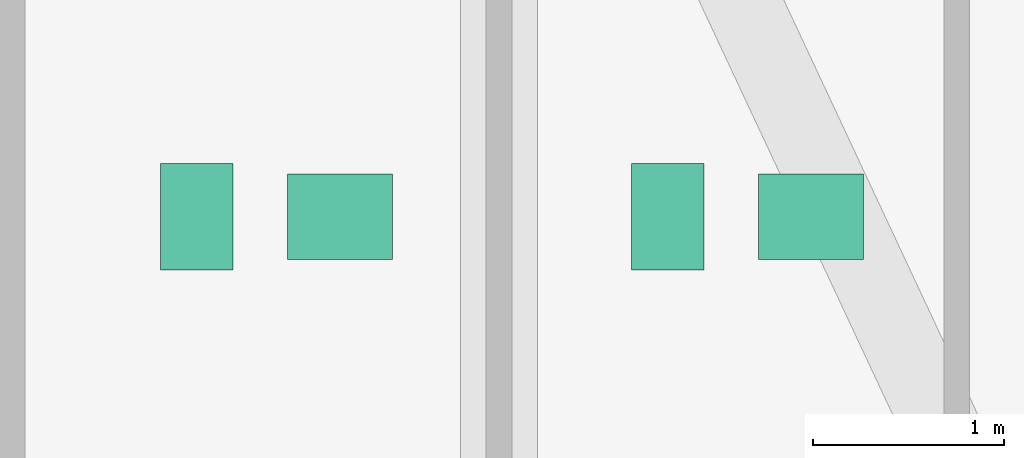
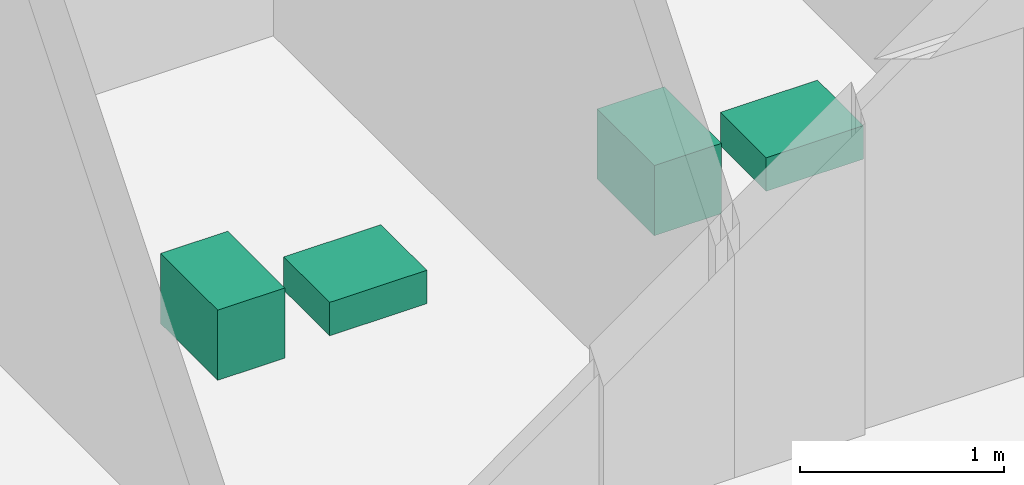
# One storey, part 33 of 33: 4 sanitary terminals.
"""IFC4 building model written with IfcOpenShell, lengths in metres."""

from ifc_helpers import new_model, si_unit, direction, frame, origin, origin_2d, place, context, subcontext, project, spatial, rectangle, extrude, material, type_object, element, save


model = new_model("IFC4")

# Units and contexts
model_context = context("Model", 3, precision=1e-05, world=origin(), true_north=direction((0.0, 1.0)))
body_context = subcontext(model_context, "Body", "Model", "MODEL_VIEW")
ifc_project = project(units=[si_unit("LENGTHUNIT", "METRE"), si_unit("AREAUNIT", "SQUARE_METRE"), si_unit("VOLUMEUNIT", "CUBIC_METRE"), si_unit("PLANEANGLEUNIT", "RADIAN"), si_unit("MASSUNIT", "GRAM", prefix="KILO")], contexts=[model_context])

# Site, building, storey
site_placement = place(None, origin())
site = spatial("IfcSite", under=ifc_project, at=site_placement, CompositionType="ELEMENT")
building_placement = place(site_placement, origin())
building = spatial("IfcBuilding", under=site, at=building_placement, Name="Zuhayl Quay Hotel", CompositionType="ELEMENT")
storey_placement = place(building_placement, frame((0.0, 0.0, 168.199951171875)))
storey = spatial("IfcBuildingStorey", under=building, at=storey_placement, Name="L42", CompositionType="ELEMENT", Elevation=168.199951171875)

# Sanitary terminals
ifc_material = material(Name="Vitreous Porcelain Sanitaryware")
sanitary_terminal_type_1 = type_object("IfcSanitaryTerminalType", Name="SAN_BASIN", PredefinedType="WASHHANDBASIN", material=ifc_material)
for number, where, z_axis, x_axis, name in (
    (1, (12.965087890625, 29.10009765625, 0.0), (0.0, 0.0, 1.0), (1.0, 0.0, 0.0), "L42 Sanitary Fixture WASHHANDBASIN"),
    (2, (15.43505859375, 29.10009765625, 0.0), (0.0, 0.0, 1.0), (1.0, 0.0, 0.0), "L42 Sanitary Fixture WASHHANDBASIN"),
):
    element("IfcSanitaryTerminal", number, at=place(storey_placement, frame(where, z_axis=z_axis, x_axis=x_axis)), inside=storey, type_object=sanitary_terminal_type_1, Name=name, PredefinedType="WASHHANDBASIN", context=body_context, shape_type="SweptSolid", body=[
        extrude(rectangle(XDim=0.550048828125, YDim=0.449951171875, at=origin_2d()), origin(), (0.0, 0.0, 1.0), 0.199951171875),
    ])
sanitary_terminal_type_2 = type_object("IfcSanitaryTerminalType", Name="SAN_WC", PredefinedType="TOILETPAN", material=ifc_material)
for number, where, z_axis, x_axis, name in (
    (3, (12.215087890625, 29.10009765625, 0.0), (0.0, 0.0, 1.0), (1.0, 0.0, 0.0), "L42 Sanitary Fixture TOILETPAN"),
    (4, (14.68505859375, 29.10009765625, 0.0), (0.0, 0.0, 1.0), (1.0, 0.0, 0.0), "L42 Sanitary Fixture TOILETPAN"),
):
    element("IfcSanitaryTerminal", number, at=place(storey_placement, frame(where, z_axis=z_axis, x_axis=x_axis)), inside=storey, type_object=sanitary_terminal_type_2, Name=name, PredefinedType="TOILETPAN", context=body_context, shape_type="SweptSolid", body=[
        extrude(rectangle(XDim=0.3798828125, YDim=0.56005859375, at=origin_2d()), origin(), (0.0, 0.0, 1.0), 0.419921875),
    ])

save(model, "model.ifc")
